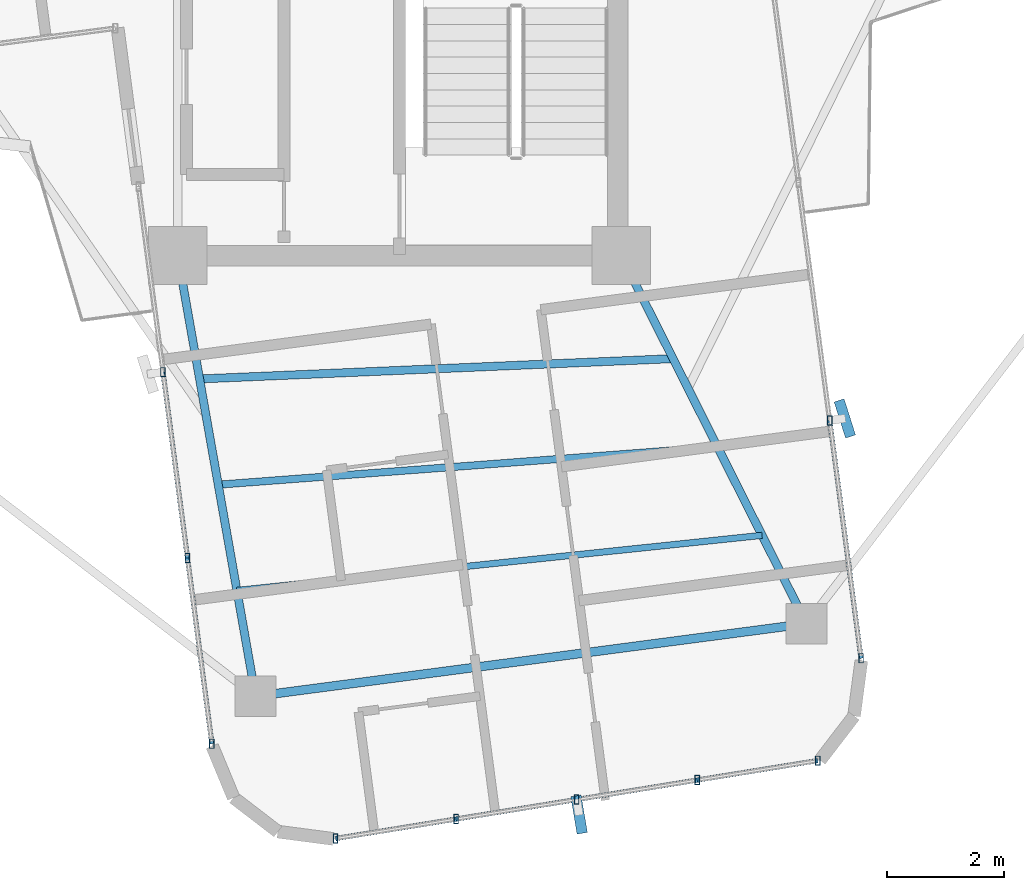
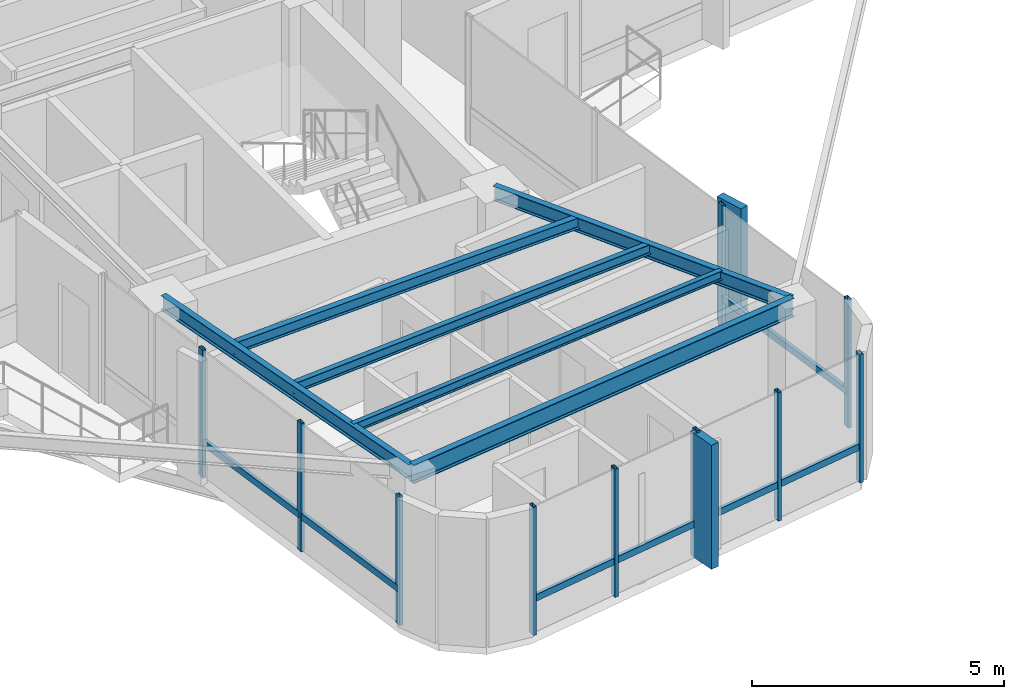
# One storey, part 4 of 22: 19 members, 6 beams, 3 elements without a shape of their own.
"""IFC4 building model written with IfcOpenShell, lengths in metres."""

from ifc_helpers import new_model, si_unit, direction, frame, origin, origin_2d, place, context, subcontext, project, spatial, rectangle, hollow_rectangle, i_section, extrude, source, transform, mapped, material, material_profile, profile_set, type_object, element, aggregate, save


model = new_model("IFC4")

# Units and contexts
model_context = context("Model", 3, precision=1e-05, world=origin(), true_north=direction((0.0, 1.0)))
body_context = subcontext(model_context, "Body", "Model", "MODEL_VIEW")
ifc_project = project(units=[si_unit("LENGTHUNIT", "METRE"), si_unit("AREAUNIT", "SQUARE_METRE"), si_unit("VOLUMEUNIT", "CUBIC_METRE"), si_unit("PLANEANGLEUNIT", "RADIAN"), si_unit("MASSUNIT", "GRAM", prefix="KILO")], contexts=[model_context])

# Site, building, storey
site_placement = place(None, origin())
site = spatial("IfcSite", under=ifc_project, at=site_placement, CompositionType="ELEMENT")
building_placement = place(site_placement, origin())
building = spatial("IfcBuilding", under=site, at=building_placement, Name="Sahyath Konkavel Grand Hotel", CompositionType="ELEMENT")
storey_placement = place(building_placement, frame((0.0, 0.0, 247.85009765625)))
storey = spatial("IfcBuildingStorey", under=building, at=storey_placement, Name="L69", CompositionType="ELEMENT", Elevation=247.85009765625)

# Beams
ifc_material_1 = material(Name="Steel E350", Category="steel")
ifc_material_profile_1 = material_profile(ifc_material_1, i_section(OverallWidth=0.139892578125, OverallDepth=0.35009765625, WebThickness=0.008056640625, FlangeThickness=0.01416015625, FilletRadius=0.013916015625, at=origin_2d()), Name="ISMB 350")
ifc_profile_set_1 = profile_set([ifc_material_profile_1], Name="Steel E350")
beam_type_1 = type_object("IfcBeamType", Name="BM-ISMB350", PredefinedType="BEAM", material=ifc_profile_set_1)
shared_shape_1 = source(origin(), body_context, "Body", "SweptSolid", [
    extrude(i_section(OverallWidth=0.139892578125, OverallDepth=0.35009765625, WebThickness=0.008056640625, FlangeThickness=0.01416015625, FilletRadius=0.013916015625, at=origin_2d()), origin(), (0.0, 0.0, 1.0), 7.670654296875),
])
beam_1_placement = place(storey_placement, frame((-3.800048828125, -10.199951171875, 2.934814453125), z_axis=(0.173810753243, -0.984779072715, 0.0), x_axis=(0.984779072715, 0.173810753243, 0.0)))
element("IfcBeam", 1, at=beam_1_placement, inside=storey, type_object=beam_type_1, Name="L69 Cruciform Radial Girder SA", PredefinedType="BEAM", context=body_context, shape_type="MappedRepresentation", body=[
    mapped(shared_shape_1, transform((0.0, 0.0, 0.0), scale=1.0)),
])
shared_shape_2 = source(origin(), body_context, "Body", "SweptSolid", [
    extrude(i_section(OverallWidth=0.139892578125, OverallDepth=0.35009765625, WebThickness=0.008056640625, FlangeThickness=0.01416015625, FilletRadius=0.013916015625, at=origin_2d()), origin(), (0.0, 0.0, 1.0), 7.0654296875),
])
beam_2_placement = place(storey_placement, frame((3.800048828125, -10.199951171875, 2.934814453125), z_axis=(0.449754962666, -0.893151987938, 0.0), x_axis=(0.893151987938, 0.449754962666, 0.0)))
element("IfcBeam", 2, at=beam_2_placement, inside=storey, type_object=beam_type_1, Name="L69 Cruciform Radial Girder SB", PredefinedType="BEAM", context=body_context, shape_type="MappedRepresentation", body=[
    mapped(shared_shape_2, transform((0.0, 0.0, 0.0), scale=1.0)),
])
ifc_material_profile_2 = material_profile(ifc_material_1, i_section(OverallWidth=0.14990234375, OverallDepth=0.449951171875, WebThickness=0.009521484375, FlangeThickness=0.017333984375, FilletRadius=0.014892578125, at=origin_2d()), Name="ISMB 450")
ifc_profile_set_2 = profile_set([ifc_material_profile_2], Name="Steel E350")
beam_type_2 = type_object("IfcBeamType", Name="BM-ISMB450", PredefinedType="BEAM", material=ifc_profile_set_2)
shared_shape_3 = source(origin(), body_context, "Body", "SweptSolid", [
    extrude(i_section(OverallWidth=0.14990234375, OverallDepth=0.449951171875, WebThickness=0.009521484375, FlangeThickness=0.017333984375, FilletRadius=0.014892578125, at=origin_2d()), origin(), (0.0, 0.0, 1.0), 9.526123046875),
])
beam_3_placement = place(storey_placement, frame((-2.466796875, -17.75390625, 2.885009765625), z_axis=(0.991444784658, 0.130526774932, 0.0), x_axis=(-0.130526774932, 0.991444784658, 0.0)))
element("IfcBeam", 3, at=beam_3_placement, inside=storey, type_object=beam_type_2, Name="L69 Wing Tip Edge Beam S", PredefinedType="BEAM", context=body_context, shape_type="MappedRepresentation", body=[
    mapped(shared_shape_3, transform((0.0, 0.0, 0.0), scale=1.0)),
])
ifc_material_profile_3 = material_profile(ifc_material_1, i_section(OverallWidth=0.139892578125, OverallDepth=0.27490234375, WebThickness=0.00634765625, FlangeThickness=0.0087890625, FilletRadius=0.012939453125, at=origin_2d()), Name="ISLB 275")
ifc_profile_set_3 = profile_set([ifc_material_profile_3], Name="Steel E350")
beam_type_3 = type_object("IfcBeamType", Name="BM-ISLB275", PredefinedType="BEAM", material=ifc_profile_set_3)
shared_shape_4 = source(origin(), body_context, "Body", "SweptSolid", [
    extrude(i_section(OverallWidth=0.139892578125, OverallDepth=0.27490234375, WebThickness=0.00634765625, FlangeThickness=0.0087890625, FilletRadius=0.012939453125, at=origin_2d()), origin(), (0.0, 0.0, 1.0), 8.1240234375),
])
beam_4_placement = place(storey_placement, frame((-3.4267578125, -12.315185546875, 2.972412109375), z_axis=(0.999080046961, 0.0428842601, 0.0), x_axis=(-0.0428842601, 0.999080046961, 0.0)))
element("IfcBeam", 4, at=beam_4_placement, inside=storey, type_object=beam_type_3, Name="L69 Secondary Floor Beam S-1", PredefinedType="BEAM", context=body_context, shape_type="MappedRepresentation", body=[
    mapped(shared_shape_4, transform((0.0, 0.0, 0.0), scale=1.0)),
])
ifc_material_profile_4 = material_profile(ifc_material_1, i_section(OverallWidth=0.125, OverallDepth=0.25, WebThickness=0.0068359375, FlangeThickness=0.012451171875, FilletRadius=0.012939453125, at=origin_2d()), Name="ISMB 250")
ifc_profile_set_4 = profile_set([ifc_material_profile_4], Name="Steel E350")
beam_type_4 = type_object("IfcBeamType", Name="BM-ISMB250", PredefinedType="BEAM", material=ifc_profile_set_4)
shared_shape_5 = source(origin(), body_context, "Body", "SweptSolid", [
    extrude(i_section(OverallWidth=0.125, OverallDepth=0.25, WebThickness=0.0068359375, FlangeThickness=0.012451171875, FilletRadius=0.012939453125, at=origin_2d()), origin(), (0.0, 0.0, 1.0), 8.58349609375),
])
beam_5_placement = place(storey_placement, frame((-3.106689453125, -14.1279296875, 2.98486328125), z_axis=(0.997159608067, 0.075317435169, 0.0), x_axis=(-0.075317435169, 0.997159608067, 0.0)))
element("IfcBeam", 5, at=beam_5_placement, inside=storey, type_object=beam_type_4, Name="L69 Secondary Floor Beam S-2", PredefinedType="BEAM", context=body_context, shape_type="MappedRepresentation", body=[
    mapped(shared_shape_5, transform((0.0, 0.0, 0.0), scale=1.0)),
])
ifc_material_profile_5 = material_profile(ifc_material_1, i_section(OverallWidth=0.110107421875, OverallDepth=0.22509765625, WebThickness=0.006591796875, FlangeThickness=0.01171875, FilletRadius=0.011962890625, at=origin_2d()), Name="ISMB 225")
ifc_profile_set_5 = profile_set([ifc_material_profile_5], Name="Steel E350")
beam_type_5 = type_object("IfcBeamType", Name="BM-ISMB225", PredefinedType="BEAM", material=ifc_profile_set_5)
shared_shape_6 = source(origin(), body_context, "Body", "SweptSolid", [
    extrude(i_section(OverallWidth=0.110107421875, OverallDepth=0.22509765625, WebThickness=0.006591796875, FlangeThickness=0.01171875, FilletRadius=0.011962890625, at=origin_2d()), origin(), (0.0, 0.0, 1.0), 9.051513671875),
])
beam_6_placement = place(storey_placement, frame((-2.786865234375, -15.94091796875, 2.997314453125), z_axis=(0.994537035782, 0.10438431136, 0.0), x_axis=(-0.10438431136, 0.994537035782, 0.0)))
element("IfcBeam", 6, at=beam_6_placement, inside=storey, type_object=beam_type_5, Name="L69 Secondary Floor Beam S-3", PredefinedType="BEAM", context=body_context, shape_type="MappedRepresentation", body=[
    mapped(shared_shape_6, transform((0.0, 0.0, 0.0), scale=1.0)),
])

# Curtain wall, members
ifc_material_2 = material(Name="Anodised Bronze Aluminium & Low-E Glazing", Category="aluminium")
curtain_wall_type = type_object("IfcCurtainWallType", Name="CW-ZONE4", PredefinedType="NOTDEFINED", material=ifc_material_2)
curtain_wall_1_placement = place(storey_placement, origin())
curtain_wall_1 = element("IfcCurtainWall", 7, at=curtain_wall_1_placement, inside=storey, type_object=curtain_wall_type, Name="L69 Unitised Curtain Wall F24", PredefinedType="NOTDEFINED")
ifc_material_3 = material(Name="Anodised Bronze Aluminium", Category="aluminium")
ifc_material_profile_6 = material_profile(ifc_material_3, hollow_rectangle(XDim=0.080078125, YDim=0.159912109375, WallThickness=0.006103515625, at=origin_2d()), Name="RHS 160x80x6")
ifc_profile_set_6 = profile_set([ifc_material_profile_6], Name="Anodised Bronze Aluminium")
member_type_1 = type_object("IfcMemberType", Name="CW-MUL-160", PredefinedType="MULLION", material=ifc_profile_set_6)
shared_shape_7 = source(origin(), body_context, "Body", "SweptSolid", [
    extrude(hollow_rectangle(XDim=0.080078125, YDim=0.159912109375, WallThickness=0.006103515625, at=origin_2d()), origin(), (0.0, 0.0, 1.0), 3.10986328125),
])
member_1_placement = place(storey_placement, frame((-4.055419921875, -12.198974609375, 0.0), z_axis=(0.0, 0.0, 1.0), x_axis=(1.0, 0.0, 0.0)))
member_1 = element("IfcMember", 8, at=member_1_placement, type_object=member_type_1, Name="L69 Curtain Wall Mullion F24-1", PredefinedType="MULLION", context=body_context, shape_type="MappedRepresentation", body=[
    mapped(shared_shape_7, transform((0.0, 0.0, 0.0), scale=1.0)),
])
member_2_placement = place(storey_placement, frame((-3.635986328125, -15.3837890625, 0.0), z_axis=(0.0, 0.0, 1.0), x_axis=(1.0, 0.0, 0.0)))
member_2 = element("IfcMember", 9, at=member_2_placement, type_object=member_type_1, Name="L69 Curtain Wall Mullion F24-2", PredefinedType="MULLION", context=body_context, shape_type="MappedRepresentation", body=[
    mapped(shared_shape_7, transform((0.0, 0.0, 0.0), scale=1.0)),
])
member_3_placement = place(storey_placement, frame((-3.216796875, -18.568603515625, 0.0), z_axis=(0.0, 0.0, 1.0), x_axis=(1.0, 0.0, 0.0)))
member_3 = element("IfcMember", 10, at=member_3_placement, type_object=member_type_1, Name="L69 Curtain Wall Mullion F24-3", PredefinedType="MULLION", context=body_context, shape_type="MappedRepresentation", body=[
    mapped(shared_shape_7, transform((0.0, 0.0, 0.0), scale=1.0)),
])

curtain_wall_2_placement = place(storey_placement, origin())
curtain_wall_2 = element("IfcCurtainWall", 11, at=curtain_wall_2_placement, inside=storey, type_object=curtain_wall_type, Name="L69 Unitised Curtain Wall F28", PredefinedType="NOTDEFINED")
member_4_placement = place(storey_placement, frame((-1.096435546875, -20.194580078125, 0.0), z_axis=(0.0, 0.0, 1.0), x_axis=(1.0, 0.0, 0.0)))
member_4 = element("IfcMember", 12, at=member_4_placement, type_object=member_type_1, Name="L69 Curtain Wall Mullion F28-0", PredefinedType="MULLION", context=body_context, shape_type="MappedRepresentation", body=[
    mapped(shared_shape_7, transform((0.0, 0.0, 0.0), scale=1.0)),
])
member_5_placement = place(storey_placement, frame((0.970458984375, -19.860595703125, 0.0), z_axis=(0.0, 0.0, 1.0), x_axis=(1.0, 0.0, 0.0)))
member_5 = element("IfcMember", 13, at=member_5_placement, type_object=member_type_1, Name="L69 Curtain Wall Mullion F28-1", PredefinedType="MULLION", context=body_context, shape_type="MappedRepresentation", body=[
    mapped(shared_shape_7, transform((0.0, 0.0, 0.0), scale=1.0)),
])
member_6_placement = place(storey_placement, frame((3.037109375, -19.526611328125, 0.0), z_axis=(0.0, 0.0, 1.0), x_axis=(1.0, 0.0, 0.0)))
member_6 = element("IfcMember", 14, at=member_6_placement, type_object=member_type_1, Name="L69 Curtain Wall Mullion F28-2", PredefinedType="MULLION", context=body_context, shape_type="MappedRepresentation", body=[
    mapped(shared_shape_7, transform((0.0, 0.0, 0.0), scale=1.0)),
])
member_7_placement = place(storey_placement, frame((5.10400390625, -19.192626953125, 0.0), z_axis=(0.0, 0.0, 1.0), x_axis=(1.0, 0.0, 0.0)))
member_7 = element("IfcMember", 15, at=member_7_placement, type_object=member_type_1, Name="L69 Curtain Wall Mullion F28-3", PredefinedType="MULLION", context=body_context, shape_type="MappedRepresentation", body=[
    mapped(shared_shape_7, transform((0.0, 0.0, 0.0), scale=1.0)),
])
member_8_placement = place(storey_placement, frame((7.1708984375, -18.858642578125, 0.0), z_axis=(0.0, 0.0, 1.0), x_axis=(1.0, 0.0, 0.0)))
member_8 = element("IfcMember", 16, at=member_8_placement, type_object=member_type_1, Name="L69 Curtain Wall Mullion F28-4", PredefinedType="MULLION", context=body_context, shape_type="MappedRepresentation", body=[
    mapped(shared_shape_7, transform((0.0, 0.0, 0.0), scale=1.0)),
])

curtain_wall_3_placement = place(storey_placement, origin())
curtain_wall_3 = element("IfcCurtainWall", 17, at=curtain_wall_3_placement, inside=storey, type_object=curtain_wall_type, Name="L69 Unitised Curtain Wall F31", PredefinedType="NOTDEFINED")
member_9_placement = place(storey_placement, frame((7.9130859375, -17.103515625, 0.0), z_axis=(0.0, 0.0, 1.0), x_axis=(1.0, 0.0, 0.0)))
member_9 = element("IfcMember", 18, at=member_9_placement, type_object=member_type_1, Name="L69 Curtain Wall Mullion F31-0", PredefinedType="MULLION", context=body_context, shape_type="MappedRepresentation", body=[
    mapped(shared_shape_7, transform((0.0, 0.0, 0.0), scale=1.0)),
])
member_10_placement = place(storey_placement, frame((7.37646484375, -13.0263671875, 0.0), z_axis=(0.0, 0.0, 1.0), x_axis=(1.0, 0.0, 0.0)))
member_10 = element("IfcMember", 19, at=member_10_placement, type_object=member_type_1, Name="L69 Curtain Wall Mullion F31-1", PredefinedType="MULLION", context=body_context, shape_type="MappedRepresentation", body=[
    mapped(shared_shape_7, transform((0.0, 0.0, 0.0), scale=1.0)),
])

# Member
ifc_material_4 = material(Name="Warm Buff Sandstone Cladding on Concrete C50/60", Category="masonry")
ifc_material_profile_7 = material_profile(ifc_material_4, rectangle(XDim=0.179931640625, YDim=0.64990234375, at=origin_2d()), Name="FIN 180x650")
ifc_profile_set_7 = profile_set([ifc_material_profile_7], Name="Warm Buff Sandstone Cladding on Concrete C50/60")
member_type_2 = type_object("IfcMemberType", Name="FIN-SANDSTONE-650", PredefinedType="MULLION", material=ifc_profile_set_7)
shared_shape_8 = source(origin(), body_context, "Body", "SweptSolid", [
    extrude(rectangle(XDim=0.179931640625, YDim=0.64990234375, at=origin_2d()), origin(), (0.0, 0.0, 1.0), 3.010009765625),
])
member_11_placement = place(storey_placement, frame((3.07861328125, -19.783447265625, 0.0498046875), z_axis=(0.0, 0.0, 1.0), x_axis=(0.98587937025, 0.16745706111, 0.0)))
member_11 = element("IfcMember", 20, at=member_11_placement, type_object=member_type_2, Name="L69 Sandstone Vertical Solar Fin FIN F28-2", PredefinedType="MULLION", context=body_context, shape_type="MappedRepresentation", body=[
    mapped(shared_shape_8, transform((0.0, 0.0, 0.0), scale=1.0)),
])

member_12_placement = place(storey_placement, frame((7.63427734375, -12.992431640625, 0.0498046875), z_axis=(0.0, 0.0, 1.0), x_axis=(0.953348857629, 0.301870759858, 0.0)))
member_12 = element("IfcMember", 21, at=member_12_placement, type_object=member_type_2, Name="L69 Sandstone Vertical Solar Fin FIN F31-1", PredefinedType="MULLION", context=body_context, shape_type="MappedRepresentation", body=[
    mapped(shared_shape_8, transform((0.0, 0.0, 0.0), scale=1.0)),
])

ifc_material_profile_8 = material_profile(ifc_material_3, hollow_rectangle(XDim=0.080078125, YDim=0.159912109375, WallThickness=0.006103515625, at=origin_2d()), Name="RHS 160x80x6")
ifc_profile_set_8 = profile_set([ifc_material_profile_8], Name="Anodised Bronze Aluminium")
member_type_3 = type_object("IfcMemberType", Name="CW-TRN-160", PredefinedType="USERDEFINED", material=ifc_profile_set_8)
shared_shape_9 = source(origin(), body_context, "Body", "SweptSolid", [
    extrude(hollow_rectangle(XDim=0.080078125, YDim=0.159912109375, WallThickness=0.006103515625, at=origin_2d()), origin(), (0.0, 0.0, 1.0), 3.21240234375),
])
member_13_placement = place(storey_placement, frame((-4.055419921875, -12.198974609375, 0.849853515625), z_axis=(0.130570505736, -0.991439026381, 0.0), x_axis=(0.991439026381, 0.130570505736, 0.0)))
member_13 = element("IfcMember", 22, at=member_13_placement, type_object=member_type_3, Name="L69 Curtain Wall Transom F24-1-spandrel", ObjectType="TRANSOM", PredefinedType="USERDEFINED", context=body_context, shape_type="MappedRepresentation", body=[
    mapped(shared_shape_9, transform((0.0, 0.0, 0.0), scale=1.0)),
])

member_14_placement = place(storey_placement, frame((-3.635986328125, -15.3837890625, 0.849853515625), z_axis=(0.130495798888, -0.991448862258, 0.0), x_axis=(0.991448862258, 0.130495798888, 0.0)))
member_14 = element("IfcMember", 23, at=member_14_placement, type_object=member_type_3, Name="L69 Curtain Wall Transom F24-2-spandrel", ObjectType="TRANSOM", PredefinedType="USERDEFINED", context=body_context, shape_type="MappedRepresentation", body=[
    mapped(shared_shape_9, transform((0.0, 0.0, 0.0), scale=1.0)),
])

aggregate(curtain_wall_1, [member_1, member_2, member_3, member_13, member_14])

shared_shape_10 = source(origin(), body_context, "Body", "SweptSolid", [
    extrude(hollow_rectangle(XDim=0.080078125, YDim=0.159912109375, WallThickness=0.006103515625, at=origin_2d()), origin(), (0.0, 0.0, 1.0), 2.09375),
])
member_15_placement = place(storey_placement, frame((-1.096435546875, -20.194580078125, 0.849853515625), z_axis=(0.987194956849, 0.159518391326, 0.0), x_axis=(-0.159518391326, 0.987194956849, 0.0)))
member_15 = element("IfcMember", 24, at=member_15_placement, type_object=member_type_3, Name="L69 Curtain Wall Transom F28-0-spandrel", ObjectType="TRANSOM", PredefinedType="USERDEFINED", context=body_context, shape_type="MappedRepresentation", body=[
    mapped(shared_shape_10, transform((0.0, 0.0, 0.0), scale=1.0)),
])

member_16_placement = place(storey_placement, frame((3.037109375, -19.526611328125, 0.849853515625), z_axis=(0.987194956849, 0.159518391326, 0.0), x_axis=(-0.159518391326, 0.987194956849, 0.0)))
member_16 = element("IfcMember", 25, at=member_16_placement, type_object=member_type_3, Name="L69 Curtain Wall Transom F28-2-spandrel", ObjectType="TRANSOM", PredefinedType="USERDEFINED", context=body_context, shape_type="MappedRepresentation", body=[
    mapped(shared_shape_10, transform((0.0, 0.0, 0.0), scale=1.0)),
])

member_17_placement = place(storey_placement, frame((5.10400390625, -19.192626953125, 0.849853515625), z_axis=(0.987194956849, 0.159518391326, 0.0), x_axis=(-0.159518391326, 0.987194956849, 0.0)))
member_17 = element("IfcMember", 26, at=member_17_placement, type_object=member_type_3, Name="L69 Curtain Wall Transom F28-3-spandrel", ObjectType="TRANSOM", PredefinedType="USERDEFINED", context=body_context, shape_type="MappedRepresentation", body=[
    mapped(shared_shape_10, transform((0.0, 0.0, 0.0), scale=1.0)),
])

shared_shape_11 = source(origin(), body_context, "Body", "SweptSolid", [
    extrude(hollow_rectangle(XDim=0.080078125, YDim=0.159912109375, WallThickness=0.006103515625, at=origin_2d()), origin(), (0.0, 0.0, 1.0), 2.093505859375),
])
member_18_placement = place(storey_placement, frame((0.970458984375, -19.860595703125, 0.849853515625), z_axis=(0.987191989141, 0.15953675619, 0.0), x_axis=(-0.15953675619, 0.987191989141, 0.0)))
member_18 = element("IfcMember", 27, at=member_18_placement, type_object=member_type_3, Name="L69 Curtain Wall Transom F28-1-spandrel", ObjectType="TRANSOM", PredefinedType="USERDEFINED", context=body_context, shape_type="MappedRepresentation", body=[
    mapped(shared_shape_11, transform((0.0, 0.0, 0.0), scale=1.0)),
])

aggregate(curtain_wall_2, [member_4, member_5, member_6, member_11, member_7, member_8, member_15, member_18, member_16, member_17])

shared_shape_12 = source(origin(), body_context, "Body", "SweptSolid", [
    extrude(hollow_rectangle(XDim=0.080078125, YDim=0.159912109375, WallThickness=0.006103515625, at=origin_2d()), origin(), (0.0, 0.0, 1.0), 4.1123046875),
])
member_19_placement = place(storey_placement, frame((7.9130859375, -17.103515625, 0.849853515625), z_axis=(-0.130491370089, 0.991449445172, 0.0), x_axis=(-0.991449445172, -0.130491370089, 0.0)))
member_19 = element("IfcMember", 28, at=member_19_placement, type_object=member_type_3, Name="L69 Curtain Wall Transom F31-0-spandrel", ObjectType="TRANSOM", PredefinedType="USERDEFINED", context=body_context, shape_type="MappedRepresentation", body=[
    mapped(shared_shape_12, transform((0.0, 0.0, 0.0), scale=1.0)),
])

aggregate(curtain_wall_3, [member_9, member_10, member_12, member_19])

save(model, "model.ifc")
